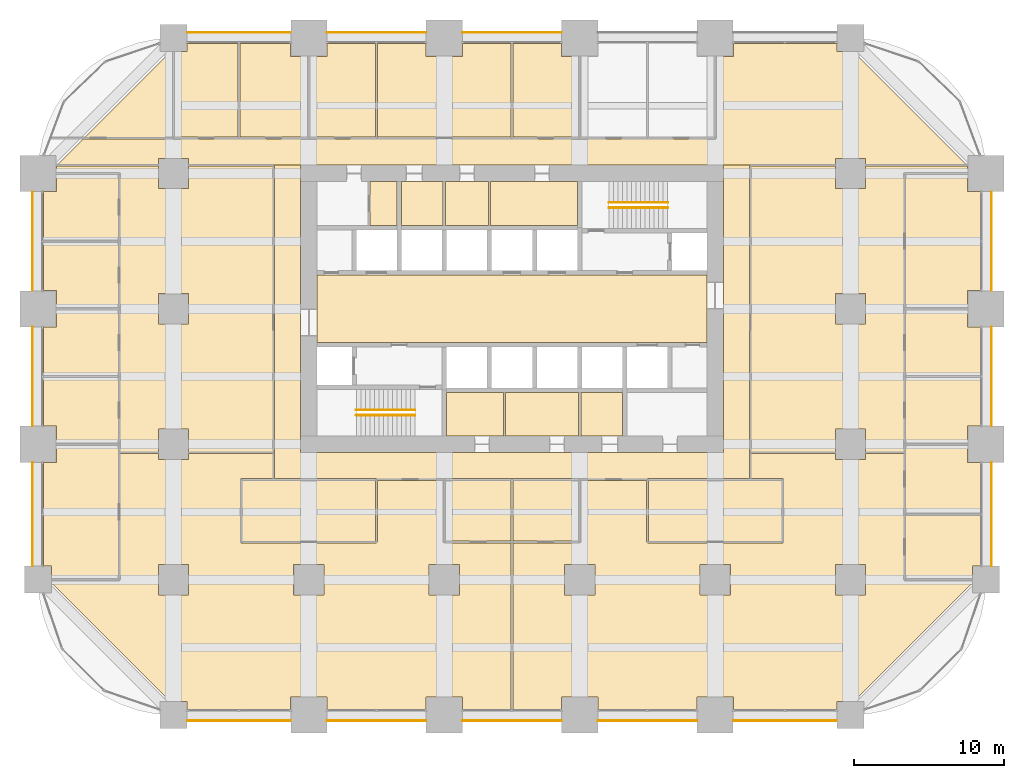
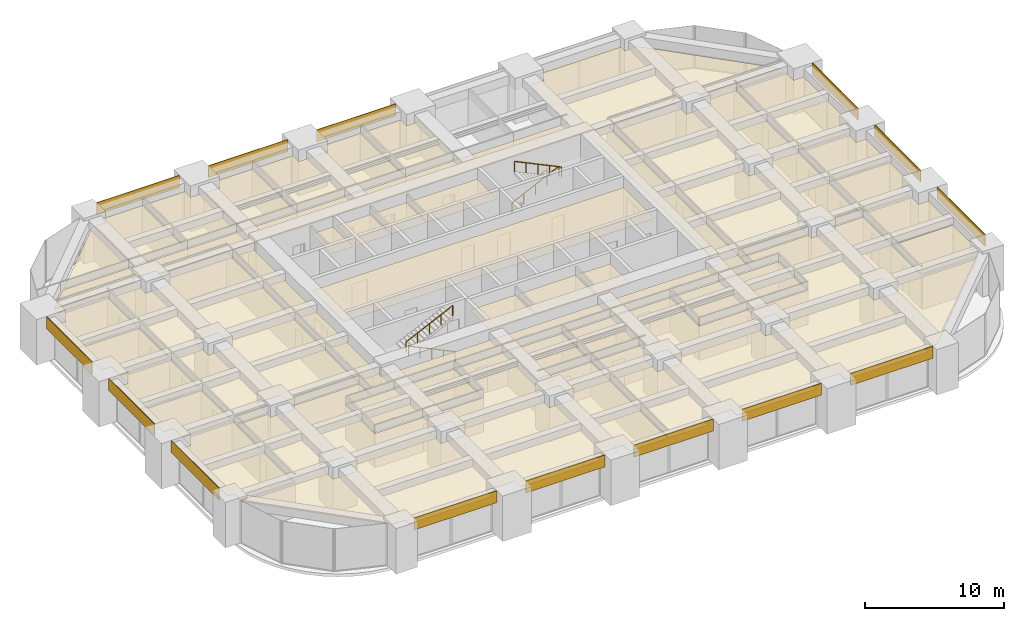
# One storey, part 40 of 41: 48 coverings, 4 railings.
"""IFC4 building model written with IfcOpenShell, lengths in metres."""

from ifc_helpers import new_model, si_unit, direction, frame, frame_2d, origin, origin_2d, place, context, subcontext, project, spatial, polyline, rectangle, circle, outline, extrude, material, layer, layer_set, type_object, element, save


model = new_model("IFC4")

# Units and contexts
model_context = context("Model", 3, precision=1e-05, world=origin(), true_north=direction((0.0, 1.0)))
body_context = subcontext(model_context, "Body", "Model", "MODEL_VIEW")
ifc_project = project(units=[si_unit("LENGTHUNIT", "METRE"), si_unit("AREAUNIT", "SQUARE_METRE"), si_unit("VOLUMEUNIT", "CUBIC_METRE"), si_unit("PLANEANGLEUNIT", "RADIAN"), si_unit("MASSUNIT", "GRAM", prefix="KILO")], contexts=[model_context])

# Site, building, storey
site_placement = place(None, origin())
site = spatial("IfcSite", under=ifc_project, at=site_placement, CompositionType="ELEMENT")
building_placement = place(site_placement, origin())
building = spatial("IfcBuilding", under=site, at=building_placement, Name="Zorevar Civic Tower", CompositionType="ELEMENT")
storey_placement = place(building_placement, frame((0.0, 0.0, 113.0)))
storey = spatial("IfcBuildingStorey", under=building, at=storey_placement, Name="L27", CompositionType="ELEMENT", Elevation=113.0)

# Railings
ifc_material_1 = material(Name="Black steel handrail", Category="steel")
railing_type = type_object("IfcRailingType", Name="Handrail HR1 900", PredefinedType="HANDRAIL", material=ifc_material_1)
railing_1_placement = place(storey_placement, frame((25.050048828125, 19.925048828125, 0.142822265625)))
element("IfcRailing", 1, at=railing_1_placement, inside=storey, type_object=railing_type, Name="Handrail HR1 ST1 L27", PredefinedType="HANDRAIL", context=body_context, shape_type="SweptSolid", body=[
    extrude(circle(Radius=0.02392578125, at=origin_2d()), frame((0.0, 0.0, 0.8759765625), z_axis=(-0.902863652845, 0.0, 0.429926998885), x_axis=(0.0, -1.0, 0.0)), (0.0, 0.0, 1.0), 4.31982421875),
    extrude(circle(Radius=0.02099609375, at=origin_2d()), origin(), (0.0, 0.0, 1.0), 0.851806640625),
    extrude(circle(Radius=0.02099609375, at=origin_2d()), frame((-0.97509765625, 0.0, 0.46435546875)), (0.0, 0.0, 1.0), 0.851806640625),
    extrude(circle(Radius=0.02099609375, at=origin_2d()), frame((-1.9501953125, 0.0, 0.9287109375)), (0.0, 0.0, 1.0), 0.851806640625),
    extrude(circle(Radius=0.02099609375, at=origin_2d()), frame((-2.925048828125, 0.0, 1.392822265625)), (0.0, 0.0, 1.0), 0.851806640625),
    extrude(circle(Radius=0.02099609375, at=origin_2d()), frame((-3.900146484375, 0.0, 1.857177734375)), (0.0, 0.0, 1.0), 0.851806640625),
])
for number, where, name in (
    (2, (21.14990234375, 20.27490234375, 2.142822265625), "Handrail HR1 ST1 L27"),
    (3, (37.949951171875, 34.074951171875, 0.142822265625), "Handrail HR1 ST2 L27"),
):
    element("IfcRailing", number, at=place(storey_placement, frame(where)), inside=storey, type_object=railing_type, Name=name, PredefinedType="HANDRAIL", context=body_context, shape_type="SweptSolid", body=[
        extrude(circle(Radius=0.02392578125, at=origin_2d()), frame((0.0, 0.0, 0.8759765625), z_axis=(0.902863652845, 0.0, 0.429926998885), x_axis=(0.0, 1.0, 0.0)), (0.0, 0.0, 1.0), 4.31982421875),
        extrude(circle(Radius=0.02099609375, at=origin_2d()), origin(), (0.0, 0.0, 1.0), 0.851806640625),
        extrude(circle(Radius=0.02099609375, at=origin_2d()), frame((0.97509765625, 0.0, 0.46435546875)), (0.0, 0.0, 1.0), 0.851806640625),
        extrude(circle(Radius=0.02099609375, at=origin_2d()), frame((1.9501953125, 0.0, 0.9287109375)), (0.0, 0.0, 1.0), 0.851806640625),
        extrude(circle(Radius=0.02099609375, at=origin_2d()), frame((2.925048828125, 0.0, 1.392822265625)), (0.0, 0.0, 1.0), 0.851806640625),
        extrude(circle(Radius=0.02099609375, at=origin_2d()), frame((3.900146484375, 0.0, 1.857177734375)), (0.0, 0.0, 1.0), 0.851806640625),
    ])
railing_2_placement = place(storey_placement, frame((41.85009765625, 33.72509765625, 2.142822265625)))
element("IfcRailing", 4, at=railing_2_placement, inside=storey, type_object=railing_type, Name="Handrail HR1 ST2 L27", PredefinedType="HANDRAIL", context=body_context, shape_type="SweptSolid", body=[
    extrude(circle(Radius=0.02392578125, at=origin_2d()), frame((0.0, 0.0, 0.8759765625), z_axis=(-0.902863652845, 0.0, 0.429926998885), x_axis=(0.0, -1.0, 0.0)), (0.0, 0.0, 1.0), 4.31982421875),
    extrude(circle(Radius=0.02099609375, at=origin_2d()), origin(), (0.0, 0.0, 1.0), 0.851806640625),
    extrude(circle(Radius=0.02099609375, at=origin_2d()), frame((-0.97509765625, 0.0, 0.46435546875)), (0.0, 0.0, 1.0), 0.851806640625),
    extrude(circle(Radius=0.02099609375, at=origin_2d()), frame((-1.9501953125, 0.0, 0.9287109375)), (0.0, 0.0, 1.0), 0.851806640625),
    extrude(circle(Radius=0.02099609375, at=origin_2d()), frame((-2.925048828125, 0.0, 1.392822265625)), (0.0, 0.0, 1.0), 0.851806640625),
    extrude(circle(Radius=0.02099609375, at=origin_2d()), frame((-3.900146484375, 0.0, 1.857177734375)), (0.0, 0.0, 1.0), 0.851806640625),
])

# Coverings
ifc_material_2 = material(Name="Moisture-resistant gypsum board")
ifc_layer_1 = layer(ifc_material_2, 0.012451171875)
ifc_layer_set_1 = layer_set([ifc_layer_1], Name="Moisture-resistant ceiling SC3")
covering_type_1 = type_object("IfcCoveringType", Name="Moisture-resistant ceiling SC3", PredefinedType="CEILING", material=ifc_layer_set_1)
covering_1_placement = place(storey_placement, frame((0.0, 0.0, 3.0)))
element("IfcCovering", 5, at=covering_1_placement, inside=storey, type_object=covering_type_1, Name="Ceiling L27-05", PredefinedType="CEILING", context=body_context, shape_type="SweptSolid", body=[
    extrude(outline(polyline([(30.925048828125, 18.550048828125), (30.925048828125, 21.449951171875), (27.14990234375, 21.449951171875), (27.14990234375, 18.550048828125), (30.925048828125, 18.550048828125)])), origin(), (0.0, 0.0, 1.0), 0.012451171875),
])
covering_2_placement = place(storey_placement, frame((0.0, 0.0, 3.0)))
element("IfcCovering", 6, at=covering_2_placement, inside=storey, type_object=covering_type_1, Name="Ceiling L27-06", PredefinedType="CEILING", context=body_context, shape_type="SweptSolid", body=[
    extrude(outline(polyline([(35.925048828125, 18.550048828125), (35.925048828125, 21.449951171875), (31.074951171875, 21.449951171875), (31.074951171875, 18.550048828125), (35.925048828125, 18.550048828125)])), origin(), (0.0, 0.0, 1.0), 0.012451171875),
])
covering_3_placement = place(storey_placement, frame((0.0, 0.0, 3.0)))
element("IfcCovering", 7, at=covering_3_placement, inside=storey, type_object=covering_type_1, Name="Ceiling L27-07", PredefinedType="CEILING", context=body_context, shape_type="SweptSolid", body=[
    extrude(outline(polyline([(38.85009765625, 18.550048828125), (38.85009765625, 21.449951171875), (36.074951171875, 21.449951171875), (36.074951171875, 18.550048828125), (38.85009765625, 18.550048828125)])), origin(), (0.0, 0.0, 1.0), 0.012451171875),
])
covering_4_placement = place(storey_placement, frame((0.0, 0.0, 3.0)))
element("IfcCovering", 8, at=covering_4_placement, inside=storey, type_object=covering_type_1, Name="Ceiling L27-10", PredefinedType="CEILING", context=body_context, shape_type="SweptSolid", body=[
    extrude(outline(polyline([(26.925048828125, 32.550048828125), (26.925048828125, 35.449951171875), (24.14990234375, 35.449951171875), (24.14990234375, 32.550048828125), (26.925048828125, 32.550048828125)])), origin(), (0.0, 0.0, 1.0), 0.012451171875),
])
ifc_material_3 = material(Name="Black anodised aluminium spandrel panel", Category="aluminium")
ifc_layer_2 = layer(ifc_material_3, 0.050048828125)
ifc_layer_set_2 = layer_set([ifc_layer_2], Name="Spandrel cladding SP1")
covering_type_2 = type_object("IfcCoveringType", Name="Spandrel cladding SP1", PredefinedType="CLADDING", material=ifc_layer_set_2)
covering_5_placement = place(storey_placement, frame((9.89990234375, -0.375, 2.949951171875), z_axis=(0.0, 0.0, 1.0), x_axis=(1.0, 0.0, 0.0)))
element("IfcCovering", 9, at=covering_5_placement, inside=storey, type_object=covering_type_2, Name="Spandrel cladding L28", PredefinedType="CLADDING", context=body_context, shape_type="SweptSolid", body=[
    extrude(rectangle(XDim=6.900146484375, YDim=0.050048828125, at=frame_2d((3.4501953125, 0.0))), origin(), (0.0, 0.0, 1.0), 1.050048828125),
])
for number, where, z_axis, x_axis, name in (
    (10, (19.199951171875, -0.375, 2.949951171875), (0.0, 0.0, 1.0), (1.0, 0.0, 0.0), "Spandrel cladding L28"),
    (11, (28.199951171875, -0.375, 2.949951171875), (0.0, 0.0, 1.0), (1.0, 0.0, 0.0), "Spandrel cladding L28"),
    (12, (37.199951171875, -0.375, 2.949951171875), (0.0, 0.0, 1.0), (1.0, 0.0, 0.0), "Spandrel cladding L28"),
):
    element("IfcCovering", number, at=place(storey_placement, frame(where, z_axis=z_axis, x_axis=x_axis)), inside=storey, type_object=covering_type_2, Name=name, PredefinedType="CLADDING", context=body_context, shape_type="SweptSolid", body=[
        extrude(rectangle(XDim=6.60009765625, YDim=0.050048828125, at=frame_2d((3.300048828125, 0.0))), origin(), (0.0, 0.0, 1.0), 1.050048828125),
    ])
for number, where, z_axis, x_axis, name in (
    (13, (46.199951171875, -0.375, 2.949951171875), (0.0, 0.0, 1.0), (1.0, 0.0, 0.0), "Spandrel cladding L28"),
    (14, (9.89990234375, 45.375, 2.949951171875), (0.0, 0.0, 1.0), (1.0, 0.0, 0.0), "Spandrel cladding L28"),
):
    element("IfcCovering", number, at=place(storey_placement, frame(where, z_axis=z_axis, x_axis=x_axis)), inside=storey, type_object=covering_type_2, Name=name, PredefinedType="CLADDING", context=body_context, shape_type="SweptSolid", body=[
        extrude(rectangle(XDim=6.900146484375, YDim=0.050048828125, at=frame_2d((3.4501953125, 0.0))), origin(), (0.0, 0.0, 1.0), 1.050048828125),
    ])
for number, where, z_axis, x_axis, name in (
    (15, (19.199951171875, 45.375, 2.949951171875), (0.0, 0.0, 1.0), (1.0, 0.0, 0.0), "Spandrel cladding L28"),
    (16, (28.199951171875, 45.375, 2.949951171875), (0.0, 0.0, 1.0), (1.0, 0.0, 0.0), "Spandrel cladding L28"),
):
    element("IfcCovering", number, at=place(storey_placement, frame(where, z_axis=z_axis, x_axis=x_axis)), inside=storey, type_object=covering_type_2, Name=name, PredefinedType="CLADDING", context=body_context, shape_type="SweptSolid", body=[
        extrude(rectangle(XDim=6.60009765625, YDim=0.050048828125, at=frame_2d((3.300048828125, 0.0))), origin(), (0.0, 0.0, 1.0), 1.050048828125),
    ])
covering_6_placement = place(storey_placement, frame((-0.375, 9.89990234375, 2.949951171875), z_axis=(0.0, 0.0, 1.0), x_axis=(0.0, 1.0, 0.0)))
element("IfcCovering", 17, at=covering_6_placement, inside=storey, type_object=covering_type_2, Name="Spandrel cladding L28", PredefinedType="CLADDING", context=body_context, shape_type="SweptSolid", body=[
    extrude(rectangle(XDim=6.900146484375, YDim=0.050048828125, at=frame_2d((3.4501953125, 0.0))), origin(), (0.0, 0.0, 1.0), 1.050048828125),
])
for number, where, z_axis, x_axis, name in (
    (18, (-0.375, 19.199951171875, 2.949951171875), (0.0, 0.0, 1.0), (0.0, 1.0, 0.0), "Spandrel cladding L28"),
    (19, (-0.375, 28.199951171875, 2.949951171875), (0.0, 0.0, 1.0), (0.0, 1.0, 0.0), "Spandrel cladding L28"),
):
    element("IfcCovering", number, at=place(storey_placement, frame(where, z_axis=z_axis, x_axis=x_axis)), inside=storey, type_object=covering_type_2, Name=name, PredefinedType="CLADDING", context=body_context, shape_type="SweptSolid", body=[
        extrude(rectangle(XDim=6.60009765625, YDim=0.050048828125, at=frame_2d((3.300048828125, 0.0))), origin(), (0.0, 0.0, 1.0), 1.050048828125),
    ])
covering_7_placement = place(storey_placement, frame((63.375, 9.89990234375, 2.949951171875), z_axis=(0.0, 0.0, 1.0), x_axis=(0.0, 1.0, 0.0)))
element("IfcCovering", 20, at=covering_7_placement, inside=storey, type_object=covering_type_2, Name="Spandrel cladding L28", PredefinedType="CLADDING", context=body_context, shape_type="SweptSolid", body=[
    extrude(rectangle(XDim=6.900146484375, YDim=0.050048828125, at=frame_2d((3.4501953125, 0.0))), origin(), (0.0, 0.0, 1.0), 1.050048828125),
])
for number, where, z_axis, x_axis, name in (
    (21, (63.375, 19.199951171875, 2.949951171875), (0.0, 0.0, 1.0), (0.0, 1.0, 0.0), "Spandrel cladding L28"),
    (22, (63.375, 28.199951171875, 2.949951171875), (0.0, 0.0, 1.0), (0.0, 1.0, 0.0), "Spandrel cladding L28"),
):
    element("IfcCovering", number, at=place(storey_placement, frame(where, z_axis=z_axis, x_axis=x_axis)), inside=storey, type_object=covering_type_2, Name=name, PredefinedType="CLADDING", context=body_context, shape_type="SweptSolid", body=[
        extrude(rectangle(XDim=6.60009765625, YDim=0.050048828125, at=frame_2d((3.300048828125, 0.0))), origin(), (0.0, 0.0, 1.0), 1.050048828125),
    ])
ifc_material_4 = material(Name="Mineral fibre tiles on a concealed grid")
ifc_layer_3 = layer(ifc_material_4, 0.02001953125)
ifc_layer_set_3 = layer_set([ifc_layer_3], Name="Suspended ceiling SC1")
covering_type_3 = type_object("IfcCoveringType", Name="Suspended ceiling SC1", PredefinedType="CEILING", material=ifc_layer_set_3)
covering_8_placement = place(storey_placement, frame((0.0, 0.0, 3.0)))
element("IfcCovering", 23, at=covering_8_placement, inside=storey, type_object=covering_type_3, Name="Ceiling L27-08", PredefinedType="CEILING", context=body_context, shape_type="SweptSolid", body=[
    extrude(outline(polyline([(35.85009765625, 32.550048828125), (35.85009765625, 35.449951171875), (30.06005859375, 35.449951171875), (30.06005859375, 32.550048828125), (35.85009765625, 32.550048828125)])), origin(), (0.0, 0.0, 1.0), 0.02001953125),
])
covering_9_placement = place(storey_placement, frame((0.0, 0.0, 3.0)))
element("IfcCovering", 24, at=covering_9_placement, inside=storey, type_object=covering_type_3, Name="Ceiling L27-09", PredefinedType="CEILING", context=body_context, shape_type="SweptSolid", body=[
    extrude(outline(polyline([(29.93994140625, 32.550048828125), (29.93994140625, 35.449951171875), (27.074951171875, 35.449951171875), (27.074951171875, 32.550048828125), (29.93994140625, 32.550048828125)])), origin(), (0.0, 0.0, 1.0), 0.02001953125),
])
covering_10_placement = place(storey_placement, frame((0.0, 0.0, 3.0)))
element("IfcCovering", 25, at=covering_10_placement, inside=storey, type_object=covering_type_3, Name="Ceiling L27-12", PredefinedType="CEILING", context=body_context, shape_type="SweptSolid", body=[
    extrude(outline(polyline([(23.85009765625, 32.550048828125), (23.85009765625, 35.449951171875), (22.06005859375, 35.449951171875), (22.06005859375, 32.550048828125), (23.85009765625, 32.550048828125)])), origin(), (0.0, 0.0, 1.0), 0.02001953125),
])
covering_11_placement = place(storey_placement, frame((0.0, 0.0, 3.0)))
element("IfcCovering", 26, at=covering_11_placement, inside=storey, type_object=covering_type_3, Name="Ceiling L27-16", PredefinedType="CEILING", context=body_context, shape_type="SweptSolid", body=[
    extrude(outline(polyline([(44.449951171875, 24.75), (44.449951171875, 29.25), (18.550048828125, 29.25), (18.550048828125, 24.75), (44.449951171875, 24.75)])), origin(), (0.0, 0.0, 1.0), 0.02001953125),
])
covering_12_placement = place(storey_placement, frame((0.0, 0.0, 3.0)))
element("IfcCovering", 27, at=covering_12_placement, inside=storey, type_object=covering_type_3, Name="Ceiling L27-17", PredefinedType="CEILING", context=body_context, shape_type="SweptSolid", body=[
    extrude(outline(polyline([(0.909912109375, 9.909912109375), (0.35009765625, 9.909912109375), (0.35009765625, 16.7900390625), (1.2099609375, 16.7900390625), (1.2099609375, 17.93994140625), (5.340087890625, 17.93994140625), (5.340087890625, 9.06005859375), (0.909912109375, 9.06005859375), (0.909912109375, 9.909912109375)])), origin(), (0.0, 0.0, 1.0), 0.02001953125),
])
covering_13_placement = place(storey_placement, frame((0.0, 0.0, 3.0)))
element("IfcCovering", 28, at=covering_13_placement, inside=storey, type_object=covering_type_3, Name="Ceiling L27-18", PredefinedType="CEILING", context=body_context, shape_type="SweptSolid", body=[
    extrude(outline(polyline([(5.340087890625, 18.06005859375), (1.2099609375, 18.06005859375), (1.2099609375, 19.2099609375), (0.35009765625, 19.2099609375), (0.35009765625, 22.43994140625), (5.340087890625, 22.43994140625), (5.340087890625, 18.06005859375)])), origin(), (0.0, 0.0, 1.0), 0.02001953125),
])
covering_14_placement = place(storey_placement, frame((0.0, 0.0, 3.0)))
element("IfcCovering", 29, at=covering_14_placement, inside=storey, type_object=covering_type_3, Name="Ceiling L27-19", PredefinedType="CEILING", context=body_context, shape_type="SweptSolid", body=[
    extrude(outline(polyline([(5.340087890625, 22.56005859375), (0.35009765625, 22.56005859375), (0.35009765625, 25.7900390625), (1.2099609375, 25.7900390625), (1.2099609375, 26.93994140625), (5.340087890625, 26.93994140625), (5.340087890625, 22.56005859375)])), origin(), (0.0, 0.0, 1.0), 0.02001953125),
])
covering_15_placement = place(storey_placement, frame((0.0, 0.0, 3.0)))
element("IfcCovering", 30, at=covering_15_placement, inside=storey, type_object=covering_type_3, Name="Ceiling L27-20", PredefinedType="CEILING", context=body_context, shape_type="SweptSolid", body=[
    extrude(outline(polyline([(5.340087890625, 27.06005859375), (1.2099609375, 27.06005859375), (1.2099609375, 28.2099609375), (0.35009765625, 28.2099609375), (0.35009765625, 31.43994140625), (5.340087890625, 31.43994140625), (5.340087890625, 27.06005859375)])), origin(), (0.0, 0.0, 1.0), 0.02001953125),
])
covering_16_placement = place(storey_placement, frame((0.0, 0.0, 3.0)))
element("IfcCovering", 31, at=covering_16_placement, inside=storey, type_object=covering_type_3, Name="Ceiling L27-21", PredefinedType="CEILING", context=body_context, shape_type="SweptSolid", body=[
    extrude(outline(polyline([(5.340087890625, 31.56005859375), (0.35009765625, 31.56005859375), (0.35009765625, 34.7900390625), (1.2099609375, 34.7900390625), (1.2099609375, 35.93994140625), (5.340087890625, 35.93994140625), (5.340087890625, 31.56005859375)])), origin(), (0.0, 0.0, 1.0), 0.02001953125),
])
covering_17_placement = place(storey_placement, frame((0.0, 0.0, 3.0)))
element("IfcCovering", 32, at=covering_17_placement, inside=storey, type_object=covering_type_3, Name="Ceiling L27-22", PredefinedType="CEILING", context=body_context, shape_type="SweptSolid", body=[
    extrude(outline(polyline([(57.659912109375, 13.2900390625), (62.64990234375, 13.2900390625), (62.64990234375, 9.909912109375), (62.090087890625, 9.909912109375), (62.090087890625, 9.06005859375), (57.659912109375, 9.06005859375), (57.659912109375, 13.2900390625)])), origin(), (0.0, 0.0, 1.0), 0.02001953125),
])
covering_18_placement = place(storey_placement, frame((0.0, 0.0, 3.0)))
element("IfcCovering", 33, at=covering_18_placement, inside=storey, type_object=covering_type_3, Name="Ceiling L27-23", PredefinedType="CEILING", context=body_context, shape_type="SweptSolid", body=[
    extrude(outline(polyline([(57.659912109375, 17.93994140625), (61.7900390625, 17.93994140625), (61.7900390625, 16.7900390625), (62.64990234375, 16.7900390625), (62.64990234375, 13.409912109375), (57.659912109375, 13.409912109375), (57.659912109375, 17.93994140625)])), origin(), (0.0, 0.0, 1.0), 0.02001953125),
])
covering_19_placement = place(storey_placement, frame((0.0, 0.0, 3.0)))
element("IfcCovering", 34, at=covering_19_placement, inside=storey, type_object=covering_type_3, Name="Ceiling L27-24", PredefinedType="CEILING", context=body_context, shape_type="SweptSolid", body=[
    extrude(outline(polyline([(57.659912109375, 22.43994140625), (62.64990234375, 22.43994140625), (62.64990234375, 19.2099609375), (61.7900390625, 19.2099609375), (61.7900390625, 18.06005859375), (57.659912109375, 18.06005859375), (57.659912109375, 22.43994140625)])), origin(), (0.0, 0.0, 1.0), 0.02001953125),
])
covering_20_placement = place(storey_placement, frame((0.0, 0.0, 3.0)))
element("IfcCovering", 35, at=covering_20_placement, inside=storey, type_object=covering_type_3, Name="Ceiling L27-25", PredefinedType="CEILING", context=body_context, shape_type="SweptSolid", body=[
    extrude(outline(polyline([(57.659912109375, 26.93994140625), (61.7900390625, 26.93994140625), (61.7900390625, 25.7900390625), (62.64990234375, 25.7900390625), (62.64990234375, 22.56005859375), (57.659912109375, 22.56005859375), (57.659912109375, 26.93994140625)])), origin(), (0.0, 0.0, 1.0), 0.02001953125),
])
covering_21_placement = place(storey_placement, frame((0.0, 0.0, 3.0)))
element("IfcCovering", 36, at=covering_21_placement, inside=storey, type_object=covering_type_3, Name="Ceiling L27-26", PredefinedType="CEILING", context=body_context, shape_type="SweptSolid", body=[
    extrude(outline(polyline([(62.64990234375, 28.2099609375), (61.7900390625, 28.2099609375), (61.7900390625, 27.06005859375), (57.659912109375, 27.06005859375), (57.659912109375, 35.93994140625), (61.7900390625, 35.93994140625), (61.7900390625, 34.7900390625), (62.64990234375, 34.7900390625), (62.64990234375, 28.2099609375)])), origin(), (0.0, 0.0, 1.0), 0.02001953125),
])
covering_22_placement = place(storey_placement, frame((0.0, 0.0, 3.0)))
element("IfcCovering", 37, at=covering_22_placement, inside=storey, type_object=covering_type_3, Name="Ceiling L27-27", PredefinedType="CEILING", context=body_context, shape_type="SweptSolid", body=[
    extrude(outline(polyline([(9.06005859375, 38.409912109375), (9.06005859375, 44.090087890625), (9.909912109375, 44.090087890625), (9.909912109375, 44.64990234375), (13.2900390625, 44.64990234375), (13.2900390625, 38.409912109375), (9.06005859375, 38.409912109375)])), origin(), (0.0, 0.0, 1.0), 0.02001953125),
])
covering_23_placement = place(storey_placement, frame((0.0, 0.0, 3.0)))
element("IfcCovering", 38, at=covering_23_placement, inside=storey, type_object=covering_type_3, Name="Ceiling L27-28", PredefinedType="CEILING", context=body_context, shape_type="SweptSolid", body=[
    extrude(outline(polyline([(13.409912109375, 38.409912109375), (13.409912109375, 44.64990234375), (16.7900390625, 44.64990234375), (16.7900390625, 43.7900390625), (17.93994140625, 43.7900390625), (17.93994140625, 38.409912109375), (13.409912109375, 38.409912109375)])), origin(), (0.0, 0.0, 1.0), 0.02001953125),
])
covering_24_placement = place(storey_placement, frame((0.0, 0.0, 3.0)))
element("IfcCovering", 39, at=covering_24_placement, inside=storey, type_object=covering_type_3, Name="Ceiling L27-29", PredefinedType="CEILING", context=body_context, shape_type="SweptSolid", body=[
    extrude(outline(polyline([(18.06005859375, 38.409912109375), (18.06005859375, 43.7900390625), (19.2099609375, 43.7900390625), (19.2099609375, 44.64990234375), (22.43994140625, 44.64990234375), (22.43994140625, 38.409912109375), (18.06005859375, 38.409912109375)])), origin(), (0.0, 0.0, 1.0), 0.02001953125),
])
covering_25_placement = place(storey_placement, frame((0.0, 0.0, 3.0)))
element("IfcCovering", 40, at=covering_25_placement, inside=storey, type_object=covering_type_3, Name="Ceiling L27-30", PredefinedType="CEILING", context=body_context, shape_type="SweptSolid", body=[
    extrude(outline(polyline([(22.56005859375, 38.409912109375), (22.56005859375, 44.64990234375), (25.7900390625, 44.64990234375), (25.7900390625, 43.7900390625), (28.2099609375, 43.7900390625), (28.2099609375, 44.64990234375), (31.43994140625, 44.64990234375), (31.43994140625, 38.409912109375), (22.56005859375, 38.409912109375)])), origin(), (0.0, 0.0, 1.0), 0.02001953125),
])
covering_26_placement = place(storey_placement, frame((0.0, 0.0, 3.0)))
element("IfcCovering", 41, at=covering_26_placement, inside=storey, type_object=covering_type_3, Name="Ceiling L27-31", PredefinedType="CEILING", context=body_context, shape_type="SweptSolid", body=[
    extrude(outline(polyline([(31.56005859375, 38.409912109375), (31.56005859375, 44.64990234375), (34.7900390625, 44.64990234375), (34.7900390625, 43.7900390625), (35.93994140625, 43.7900390625), (35.93994140625, 38.409912109375), (31.56005859375, 38.409912109375)])), origin(), (0.0, 0.0, 1.0), 0.02001953125),
])
covering_27_placement = place(storey_placement, frame((0.0, 0.0, 3.0)))
element("IfcCovering", 42, at=covering_27_placement, inside=storey, type_object=covering_type_3, Name="Ceiling L27-34", PredefinedType="CEILING", context=body_context, shape_type="SweptSolid", body=[
    extrude(outline(polyline([(13.56005859375, 15.590087890625), (22.43994140625, 15.590087890625), (22.43994140625, 11.550048828125), (13.56005859375, 11.550048828125), (13.56005859375, 15.590087890625)])), origin(), (0.0, 0.0, 1.0), 0.02001953125),
])
covering_28_placement = place(storey_placement, frame((0.0, 0.0, 3.0)))
element("IfcCovering", 43, at=covering_28_placement, inside=storey, type_object=covering_type_3, Name="Ceiling L27-35", PredefinedType="CEILING", context=body_context, shape_type="SweptSolid", body=[
    extrude(outline(polyline([(49.43994140625, 15.590087890625), (49.43994140625, 11.550048828125), (40.56005859375, 11.550048828125), (40.56005859375, 15.590087890625), (49.43994140625, 15.590087890625)])), origin(), (0.0, 0.0, 1.0), 0.02001953125),
])
covering_29_placement = place(storey_placement, frame((0.0, 0.0, 3.0)))
element("IfcCovering", 44, at=covering_29_placement, inside=storey, type_object=covering_type_3, Name="Ceiling L27-36", PredefinedType="CEILING", context=body_context, shape_type="SweptSolid", body=[
    extrude(outline(polyline([(8.93994140625, 44.090087890625), (8.93994140625, 38.39990234375), (3.107177734375, 38.39990234375), (8.797119140625, 44.090087890625), (8.93994140625, 44.090087890625)])), origin(), (0.0, 0.0, 1.0), 0.02001953125),
])
covering_30_placement = place(storey_placement, frame((0.0, 0.0, 3.0)))
element("IfcCovering", 45, at=covering_30_placement, inside=storey, type_object=covering_type_3, Name="Ceiling L27-37", PredefinedType="CEILING", context=body_context, shape_type="SweptSolid", body=[
    extrude(outline(polyline([(27.06005859375, 15.590087890625), (31.43994140625, 15.590087890625), (31.43994140625, 11.56005859375), (27.06005859375, 11.56005859375), (27.06005859375, 15.590087890625)])), origin(), (0.0, 0.0, 1.0), 0.02001953125),
])
covering_31_placement = place(storey_placement, frame((0.0, 0.0, 3.0)))
element("IfcCovering", 46, at=covering_31_placement, inside=storey, type_object=covering_type_3, Name="Ceiling L27-38", PredefinedType="CEILING", context=body_context, shape_type="SweptSolid", body=[
    extrude(outline(polyline([(31.56005859375, 15.590087890625), (35.93994140625, 15.590087890625), (35.93994140625, 11.56005859375), (31.56005859375, 11.56005859375), (31.56005859375, 15.590087890625)])), origin(), (0.0, 0.0, 1.0), 0.02001953125),
])
covering_32_placement = place(storey_placement, frame((0.0, 0.0, 3.0)))
element("IfcCovering", 47, at=covering_32_placement, inside=storey, type_object=covering_type_3, Name="Ceiling L27-39", PredefinedType="CEILING", context=body_context, shape_type="SweptSolid", body=[
    extrude(outline(polyline([(47.300048828125, 15.7099609375), (40.5, 15.7099609375), (40.5, 15.699951171875), (36.0, 15.699951171875), (36.0, 15.7099609375), (27.0, 15.7099609375), (27.0, 15.699951171875), (22.5, 15.699951171875), (22.5, 15.7099609375), (15.699951171875, 15.7099609375), (15.699951171875, 36.550048828125), (17.449951171875, 36.550048828125), (17.449951171875, 17.449951171875), (45.550048828125, 17.449951171875), (45.550048828125, 36.550048828125), (47.300048828125, 36.550048828125), (47.300048828125, 15.7099609375)])), origin(), (0.0, 0.0, 1.0), 0.02001953125),
])
covering_33_placement = place(storey_placement, frame((0.0, 0.0, 3.0)))
element("IfcCovering", 48, at=covering_33_placement, inside=storey, type_object=covering_type_3, Name="Ceiling L27-40", PredefinedType="CEILING", context=body_context, shape_type="SweptSolid", body=[
    extrude(outline(polyline([(52.989990234375, 19.010009765625), (52.989990234375, 17.5), (47.39990234375, 17.5), (47.39990234375, 36.5), (52.989990234375, 36.5), (52.989990234375, 34.989990234375), (55.010009765625, 34.989990234375), (55.010009765625, 36.5), (61.7900390625, 36.5), (61.7900390625, 36.06005859375), (57.60009765625, 36.06005859375), (57.60009765625, 36.0), (57.5400390625, 36.0), (57.5400390625, 17.5), (55.010009765625, 17.5), (55.010009765625, 19.010009765625), (52.989990234375, 19.010009765625)]), holes=[polyline([(52.989990234375, 25.989990234375), (55.010009765625, 25.989990234375), (55.010009765625, 28.010009765625), (52.989990234375, 28.010009765625), (52.989990234375, 25.989990234375)])]), origin(), (0.0, 0.0, 1.0), 0.02001953125),
])
covering_34_placement = place(storey_placement, frame((0.0, 0.0, 3.0)))
element("IfcCovering", 49, at=covering_34_placement, inside=storey, type_object=covering_type_3, Name="Ceiling L27-41", PredefinedType="CEILING", context=body_context, shape_type="SweptSolid", body=[
    extrude(outline(polyline([(53.090087890625, 44.090087890625), (54.202880859375, 44.090087890625), (61.69287109375, 36.60009765625), (55.010009765625, 36.60009765625), (55.010009765625, 37.010009765625), (52.989990234375, 37.010009765625), (52.989990234375, 36.60009765625), (47.35009765625, 36.60009765625), (47.35009765625, 36.550048828125), (15.64990234375, 36.550048828125), (15.64990234375, 36.60009765625), (10.010009765625, 36.60009765625), (10.010009765625, 37.010009765625), (7.989990234375, 37.010009765625), (7.989990234375, 36.60009765625), (1.30712890625, 36.60009765625), (3.007080078125, 38.300048828125), (9.0, 38.300048828125), (9.0, 38.2900390625), (45.0, 38.2900390625), (45.0, 38.35009765625), (45.06005859375, 38.35009765625), (45.06005859375, 43.7900390625), (46.2099609375, 43.7900390625), (46.2099609375, 44.64990234375), (53.090087890625, 44.64990234375), (53.090087890625, 44.090087890625)])), origin(), (0.0, 0.0, 1.0), 0.02001953125),
])
covering_35_placement = place(storey_placement, frame((0.0, 0.0, 3.0)))
element("IfcCovering", 50, at=covering_35_placement, inside=storey, type_object=covering_type_3, Name="Ceiling L27-42", PredefinedType="CEILING", context=body_context, shape_type="SweptSolid", body=[
    extrude(outline(polyline([(5.4599609375, 17.39990234375), (7.989990234375, 17.39990234375), (7.989990234375, 16.989990234375), (10.010009765625, 16.989990234375), (10.010009765625, 17.39990234375), (15.60009765625, 17.39990234375), (15.60009765625, 15.7099609375), (13.5, 15.7099609375), (13.5, 15.64990234375), (13.43994140625, 15.64990234375), (13.43994140625, 11.5), (13.5, 11.5), (13.5, 11.449951171875), (22.5, 11.449951171875), (22.5, 11.5), (22.56005859375, 11.5), (22.56005859375, 15.60009765625), (26.93994140625, 15.60009765625), (26.93994140625, 11.5), (27.0, 11.5), (27.0, 11.43994140625), (31.449951171875, 11.43994140625), (31.449951171875, 0.35009765625), (28.2099609375, 0.35009765625), (28.2099609375, 1.2099609375), (25.7900390625, 1.2099609375), (25.7900390625, 0.35009765625), (19.2099609375, 0.35009765625), (19.2099609375, 1.2099609375), (16.7900390625, 1.2099609375), (16.7900390625, 0.35009765625), (9.909912109375, 0.35009765625), (9.909912109375, 0.909912109375), (8.797119140625, 0.909912109375), (0.909912109375, 8.797119140625), (0.909912109375, 8.93994140625), (5.39990234375, 8.93994140625), (5.39990234375, 9.0), (5.4599609375, 9.0), (5.4599609375, 17.39990234375)]), holes=[polyline([(7.989990234375, 7.989990234375), (10.010009765625, 7.989990234375), (10.010009765625, 10.010009765625), (7.989990234375, 10.010009765625), (7.989990234375, 7.989990234375)]), polyline([(19.010009765625, 7.989990234375), (19.010009765625, 10.010009765625), (16.989990234375, 10.010009765625), (16.989990234375, 7.989990234375), (19.010009765625, 7.989990234375)]), polyline([(25.989990234375, 10.010009765625), (25.989990234375, 7.989990234375), (28.010009765625, 7.989990234375), (28.010009765625, 10.010009765625), (25.989990234375, 10.010009765625)])]), origin(), (0.0, 0.0, 1.0), 0.02001953125),
])
covering_36_placement = place(storey_placement, frame((0.0, 0.0, 3.0)))
element("IfcCovering", 51, at=covering_36_placement, inside=storey, type_object=covering_type_3, Name="Ceiling L27-43", PredefinedType="CEILING", context=body_context, shape_type="SweptSolid", body=[
    extrude(outline(polyline([(52.989990234375, 17.39990234375), (52.989990234375, 16.989990234375), (55.010009765625, 16.989990234375), (55.010009765625, 17.39990234375), (57.5400390625, 17.39990234375), (57.5400390625, 9.0), (57.60009765625, 9.0), (57.60009765625, 8.93994140625), (62.090087890625, 8.93994140625), (62.090087890625, 8.797119140625), (54.202880859375, 0.909912109375), (53.090087890625, 0.909912109375), (53.090087890625, 0.35009765625), (46.2099609375, 0.35009765625), (46.2099609375, 1.2099609375), (43.7900390625, 1.2099609375), (43.7900390625, 0.35009765625), (37.2099609375, 0.35009765625), (37.2099609375, 1.2099609375), (34.7900390625, 1.2099609375), (34.7900390625, 0.35009765625), (31.550048828125, 0.35009765625), (31.550048828125, 11.43994140625), (36.0, 11.43994140625), (36.0, 11.5), (36.06005859375, 11.5), (36.06005859375, 15.60009765625), (40.43994140625, 15.60009765625), (40.43994140625, 11.5), (40.5, 11.5), (40.5, 11.449951171875), (49.5, 11.449951171875), (49.5, 11.5), (49.56005859375, 11.5), (49.56005859375, 15.64990234375), (49.5, 15.64990234375), (49.5, 15.7099609375), (47.39990234375, 15.7099609375), (47.39990234375, 17.39990234375), (52.989990234375, 17.39990234375)]), holes=[polyline([(37.010009765625, 7.989990234375), (37.010009765625, 10.010009765625), (34.989990234375, 10.010009765625), (34.989990234375, 7.989990234375), (37.010009765625, 7.989990234375)]), polyline([(43.989990234375, 10.010009765625), (43.989990234375, 7.989990234375), (46.010009765625, 7.989990234375), (46.010009765625, 10.010009765625), (43.989990234375, 10.010009765625)]), polyline([(55.010009765625, 7.989990234375), (55.010009765625, 10.010009765625), (52.989990234375, 10.010009765625), (52.989990234375, 7.989990234375), (55.010009765625, 7.989990234375)])]), origin(), (0.0, 0.0, 1.0), 0.02001953125),
])
covering_37_placement = place(storey_placement, frame((0.0, 0.0, 3.0)))
element("IfcCovering", 52, at=covering_37_placement, inside=storey, type_object=covering_type_3, Name="Ceiling L27-44", PredefinedType="CEILING", context=body_context, shape_type="SweptSolid", body=[
    extrude(outline(polyline([(5.39990234375, 36.0), (5.39990234375, 36.06005859375), (1.2099609375, 36.06005859375), (1.2099609375, 36.5), (7.989990234375, 36.5), (7.989990234375, 34.989990234375), (10.010009765625, 34.989990234375), (10.010009765625, 36.5), (15.60009765625, 36.5), (15.60009765625, 17.5), (10.010009765625, 17.5), (10.010009765625, 19.010009765625), (7.989990234375, 19.010009765625), (7.989990234375, 17.5), (5.4599609375, 17.5), (5.4599609375, 36.0), (5.39990234375, 36.0)]), holes=[polyline([(7.989990234375, 28.010009765625), (7.989990234375, 25.989990234375), (10.010009765625, 25.989990234375), (10.010009765625, 28.010009765625), (7.989990234375, 28.010009765625)])]), origin(), (0.0, 0.0, 1.0), 0.02001953125),
])

save(model, "model.ifc")
